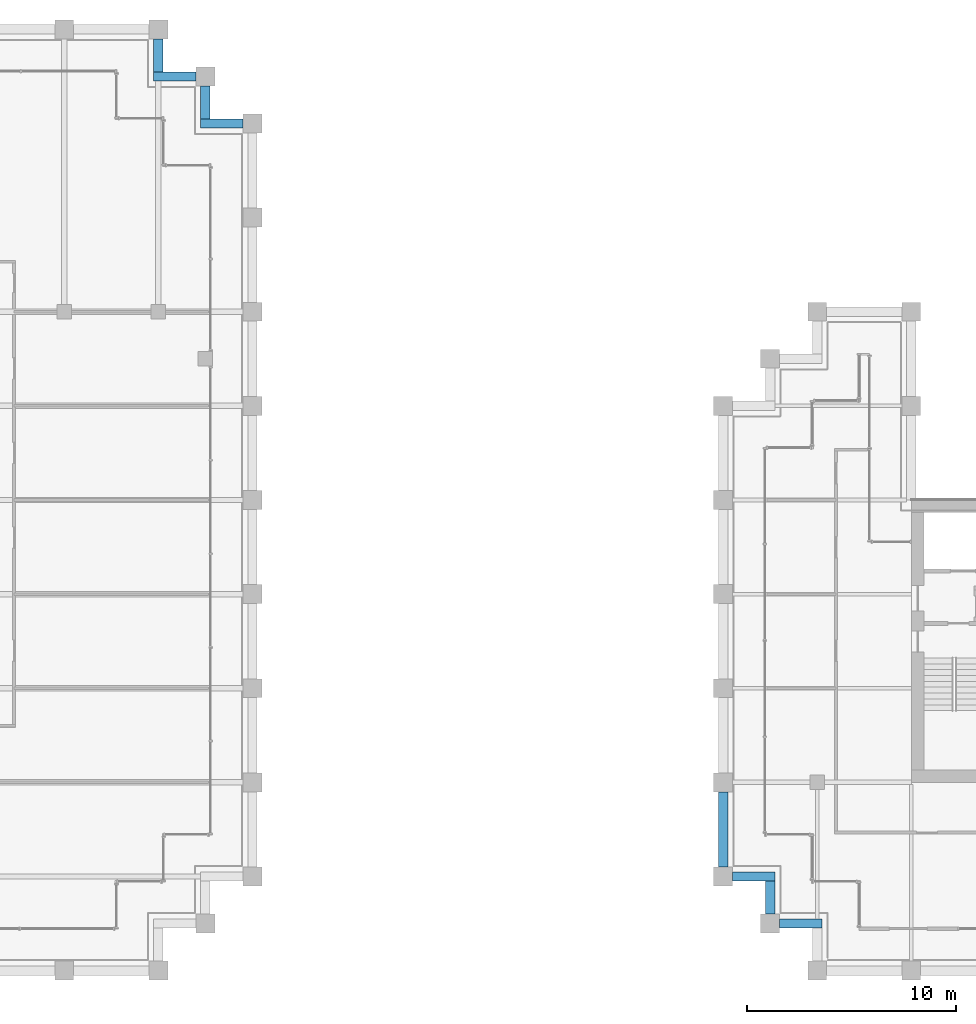
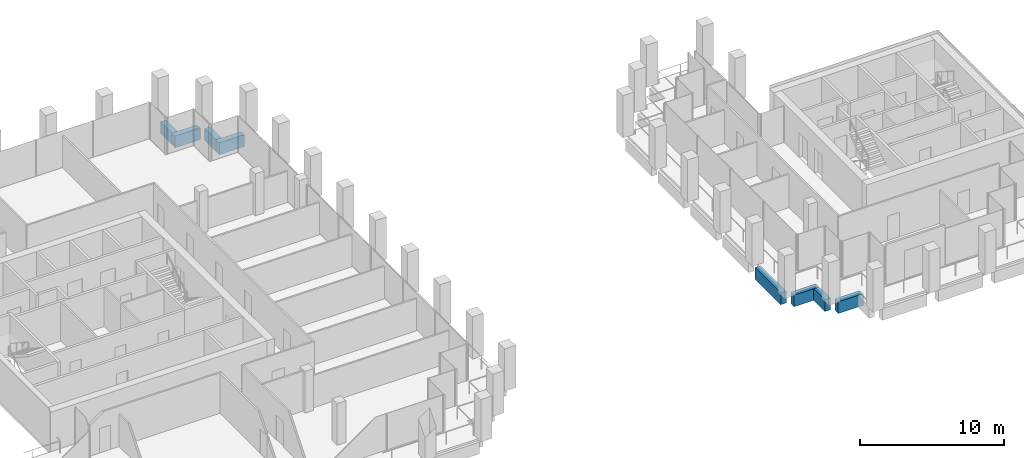
# One storey, part 27 of 40: 8 beams.
"""IFC4 building model written with IfcOpenShell, lengths in metres."""

from ifc_helpers import new_model, si_unit, direction, frame, origin, origin_2d, place, context, subcontext, project, spatial, rectangle, extrude, material, material_profile, profile_set, type_object, element, save


model = new_model("IFC4")

# Units and contexts
model_context = context("Model", 3, precision=1e-05, world=origin(), true_north=direction((0.0, 1.0)))
body_context = subcontext(model_context, "Body", "Model", "MODEL_VIEW")
ifc_project = project(units=[si_unit("LENGTHUNIT", "METRE"), si_unit("AREAUNIT", "SQUARE_METRE"), si_unit("VOLUMEUNIT", "CUBIC_METRE"), si_unit("PLANEANGLEUNIT", "RADIAN"), si_unit("MASSUNIT", "GRAM", prefix="KILO")], contexts=[model_context])

# Site, building, storey
site_placement = place(None, origin())
site = spatial("IfcSite", under=ifc_project, at=site_placement, CompositionType="ELEMENT")
building_placement = place(site_placement, origin())
building = spatial("IfcBuilding", under=site, at=building_placement, Name="Altepetl Exchange Towers", CompositionType="ELEMENT")
storey_placement = place(building_placement, frame((0.0, 0.0, 147.39990234375)))
storey = spatial("IfcBuildingStorey", under=building, at=storey_placement, Name="L36", CompositionType="ELEMENT", Elevation=147.39990234375)

# Beams
ifc_material_1 = material(Name="Concrete C50/60 precast with cantera rosa facing", Category="concrete")
ifc_material_profile_1 = material_profile(ifc_material_1, rectangle(XDim=0.449951171875, YDim=1.0, at=origin_2d()), Name="450 x 1000")
ifc_profile_set_1 = profile_set([ifc_material_profile_1], Name="Concrete C50/60 precast with cantera rosa facing")
beam_type_1 = type_object("IfcBeamType", Name="Spandrel beam 450x1000 cantera rosa", PredefinedType="SPANDREL", material=ifc_profile_set_1)
beam_1_placement = place(storey_placement, frame((71.550048828125, 67.5, -0.64990234375), z_axis=(-1.0, 0.0, 0.0), x_axis=(0.0, -1.0, 0.0)))
element("IfcBeam", 1, at=beam_1_placement, inside=storey, type_object=beam_type_1, Name="sp:A:L36:020", PredefinedType="SPANDREL", context=body_context, shape_type="SweptSolid", body=[
    extrude(rectangle(XDim=0.449951171875, YDim=1.0, at=origin_2d()), origin(), (0.0, 0.0, 1.0), 2.025146484375),
])
beam_2_placement = place(storey_placement, frame((69.75, 67.72509765625, -0.64990234375), z_axis=(0.0, 1.0, 0.0), x_axis=(-1.0, 0.0, 0.0)))
element("IfcBeam", 2, at=beam_2_placement, inside=storey, type_object=beam_type_1, Name="sp:A:L36:021", PredefinedType="SPANDREL", context=body_context, shape_type="SweptSolid", body=[
    extrude(rectangle(XDim=0.449951171875, YDim=1.0, at=origin_2d()), origin(), (0.0, 0.0, 1.0), 1.574951171875),
])
beam_3_placement = place(storey_placement, frame((69.300048828125, 69.75, -0.64990234375), z_axis=(-1.0, 0.0, 0.0), x_axis=(0.0, -1.0, 0.0)))
element("IfcBeam", 3, at=beam_3_placement, inside=storey, type_object=beam_type_1, Name="sp:A:L36:022", PredefinedType="SPANDREL", context=body_context, shape_type="SweptSolid", body=[
    extrude(rectangle(XDim=0.449951171875, YDim=1.0, at=origin_2d()), origin(), (0.0, 0.0, 1.0), 2.025146484375),
])
beam_4_placement = place(storey_placement, frame((67.5, 69.97509765625, -0.64990234375), z_axis=(0.0, 1.0, 0.0), x_axis=(-1.0, 0.0, 0.0)))
element("IfcBeam", 4, at=beam_4_placement, inside=storey, type_object=beam_type_1, Name="sp:A:L36:023", PredefinedType="SPANDREL", context=body_context, shape_type="SweptSolid", body=[
    extrude(rectangle(XDim=0.449951171875, YDim=1.0, at=origin_2d()), origin(), (0.0, 0.0, 1.0), 1.574951171875),
])
ifc_material_2 = material(Name="Concrete C50/60 precast with tezontle facing", Category="concrete")
ifc_material_profile_2 = material_profile(ifc_material_2, rectangle(XDim=0.449951171875, YDim=1.0, at=origin_2d()), Name="450 x 1000")
ifc_profile_set_2 = profile_set([ifc_material_profile_2], Name="Concrete C50/60 precast with tezontle facing")
beam_type_2 = type_object("IfcBeamType", Name="Spandrel beam 450x1000 tezontle", PredefinedType="SPANDREL", material=ifc_profile_set_2)
beam_5_placement = place(storey_placement, frame((94.5, 35.550048828125, -0.64990234375), z_axis=(0.0, -1.0, 0.0), x_axis=(1.0, 0.0, 0.0)))
element("IfcBeam", 5, at=beam_5_placement, inside=storey, type_object=beam_type_2, Name="sp:B:L36:019", PredefinedType="SPANDREL", context=body_context, shape_type="SweptSolid", body=[
    extrude(rectangle(XDim=0.449951171875, YDim=1.0, at=origin_2d()), origin(), (0.0, 0.0, 1.0), 3.60009765625),
])
beam_6_placement = place(storey_placement, frame((94.949951171875, 31.5, -0.64990234375), z_axis=(1.0, 0.0, 0.0), x_axis=(0.0, 1.0, 0.0)))
element("IfcBeam", 6, at=beam_6_placement, inside=storey, type_object=beam_type_2, Name="sp:B:L36:020", PredefinedType="SPANDREL", context=body_context, shape_type="SweptSolid", body=[
    extrude(rectangle(XDim=0.449951171875, YDim=1.0, at=origin_2d()), origin(), (0.0, 0.0, 1.0), 2.025146484375),
])
beam_7_placement = place(storey_placement, frame((96.75, 31.27490234375, -0.64990234375), z_axis=(0.0, -1.0, 0.0), x_axis=(1.0, 0.0, 0.0)))
element("IfcBeam", 7, at=beam_7_placement, inside=storey, type_object=beam_type_2, Name="sp:B:L36:021", PredefinedType="SPANDREL", context=body_context, shape_type="SweptSolid", body=[
    extrude(rectangle(XDim=0.449951171875, YDim=1.0, at=origin_2d()), origin(), (0.0, 0.0, 1.0), 1.574951171875),
])
beam_8_placement = place(storey_placement, frame((97.199951171875, 29.25, -0.64990234375), z_axis=(1.0, 0.0, 0.0), x_axis=(0.0, 1.0, 0.0)))
element("IfcBeam", 8, at=beam_8_placement, inside=storey, type_object=beam_type_2, Name="sp:B:L36:022", PredefinedType="SPANDREL", context=body_context, shape_type="SweptSolid", body=[
    extrude(rectangle(XDim=0.449951171875, YDim=1.0, at=origin_2d()), origin(), (0.0, 0.0, 1.0), 2.025146484375),
])

save(model, "model.ifc")
